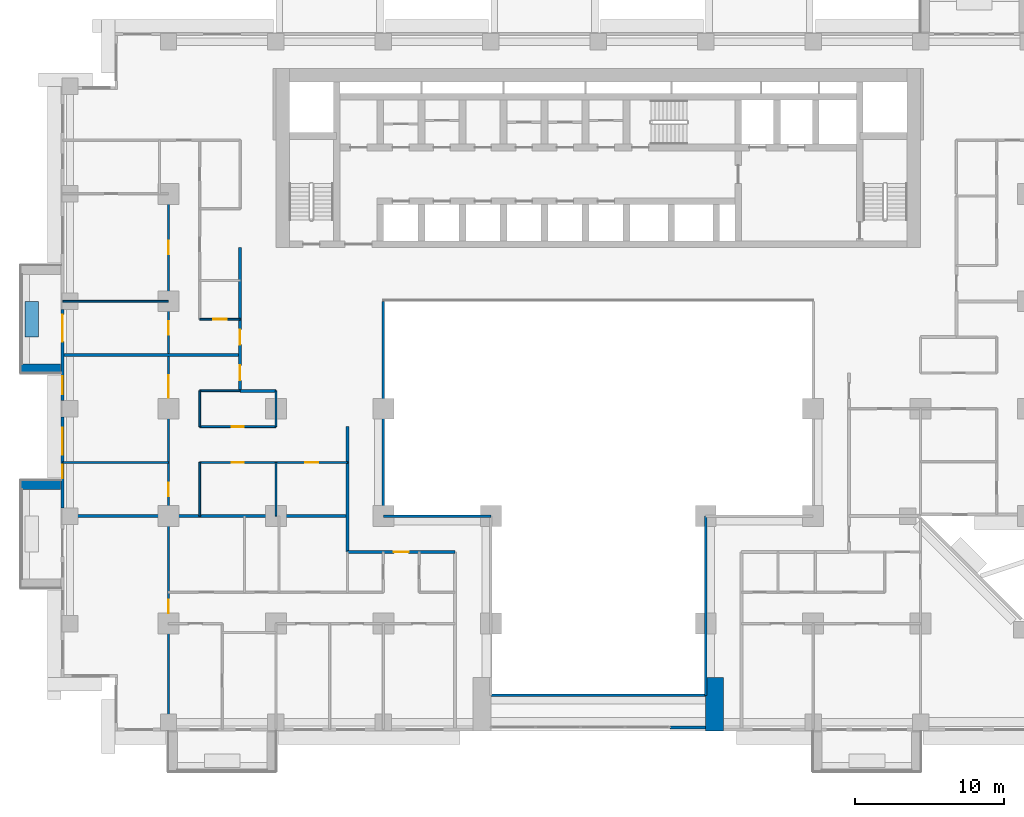
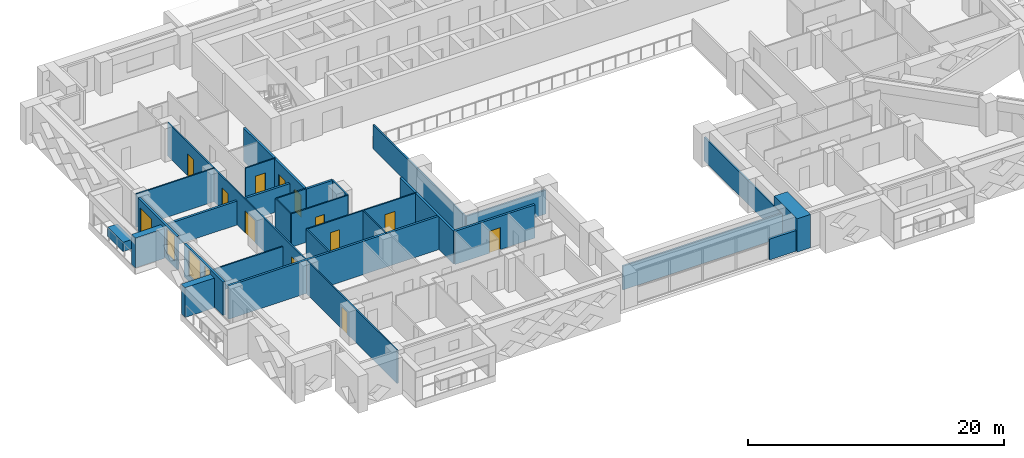
# One storey, part 7 of 16: 28 walls, 13 doors, 3 windows, 16 openings.
"""IFC4 building model written with IfcOpenShell, lengths in metres."""

from ifc_helpers import new_model, si_unit, direction, frame, frame_2d, origin, place, context, subcontext, project, spatial, rectangle, extrude, material, layer, layer_set, type_object, element, fill, save


model = new_model("IFC4")

# Units and contexts
model_context = context("Model", 3, precision=1e-05, world=origin(), true_north=direction((0.0, 1.0)))
body_context = subcontext(model_context, "Body", "Model", "MODEL_VIEW")
ifc_project = project(units=[si_unit("LENGTHUNIT", "METRE"), si_unit("AREAUNIT", "SQUARE_METRE"), si_unit("VOLUMEUNIT", "CUBIC_METRE"), si_unit("PLANEANGLEUNIT", "RADIAN"), si_unit("MASSUNIT", "GRAM", prefix="KILO")], contexts=[model_context])

# Site, building, storey
site_placement = place(None, origin())
site = spatial("IfcSite", under=ifc_project, at=site_placement, CompositionType="ELEMENT")
building_placement = place(site_placement, origin())
building = spatial("IfcBuilding", under=site, at=building_placement, Name="Saffron Iwan Residences", CompositionType="ELEMENT")
storey_placement = place(building_placement, frame((0.0, 0.0, 44.5)))
storey = spatial("IfcBuildingStorey", under=building, at=storey_placement, Name="L10", CompositionType="ELEMENT", Elevation=44.5)

# Walls
ifc_material_1 = material(Name="Fire-rated glazing", Category="glass")
ifc_layer_1 = layer(ifc_material_1, 0.14990234375)
ifc_layer_set_1 = layer_set([ifc_layer_1], Name="Fire-rated glazing")
wall_type_1 = type_object("IfcWallType", Name="Atrium glazed screen 150", PredefinedType="SOLIDWALL", material=ifc_layer_set_1)
wall_1_placement = place(storey_placement, frame((43.199951171875, 36.0, 0.0), z_axis=(0.0, 0.0, 1.0), x_axis=(1.0, 0.0, 0.0)))
element("IfcWall", 1, at=wall_1_placement, inside=storey, type_object=wall_type_1, Name="W-L10-SCREEN-h36-43.2", PredefinedType="SOLIDWALL", context=body_context, shape_type="SweptSolid", body=[
    extrude(rectangle(XDim=14.400146484375, YDim=0.14990234375, at=frame_2d((7.2001953125, 0.0))), origin(), (0.0, 0.0, 1.0), 2.280029296875),
])
wall_2_placement = place(storey_placement, frame((36.0, 48.0, 0.0), z_axis=(0.0, 0.0, 1.0), x_axis=(1.0, 0.0, 0.0)))
element("IfcWall", 2, at=wall_2_placement, inside=storey, type_object=wall_type_1, Name="W-L10-SCREEN-h48-36", PredefinedType="SOLIDWALL", context=body_context, shape_type="SweptSolid", body=[
    extrude(rectangle(XDim=7.199951171875, YDim=0.14990234375, at=frame_2d((3.60009765625, 0.0))), origin(), (0.0, 0.0, 1.0), 2.280029296875),
])
wall_3_placement = place(storey_placement, frame((36.0, 48.0, 0.0), z_axis=(0.0, 0.0, 1.0), x_axis=(0.0, 1.0, 0.0)))
element("IfcWall", 3, at=wall_3_placement, inside=storey, type_object=wall_type_1, Name="W-L10-SCREEN-v36-48", PredefinedType="SOLIDWALL", context=body_context, shape_type="SweptSolid", body=[
    extrude(rectangle(XDim=14.39990234375, YDim=0.14990234375, at=frame_2d((7.199951171875, 0.0))), origin(), (0.0, 0.0, 1.0), 2.280029296875),
])
wall_4_placement = place(storey_placement, frame((57.60009765625, 36.0, 0.0), z_axis=(0.0, 0.0, 1.0), x_axis=(0.0, 1.0, 0.0)))
element("IfcWall", 4, at=wall_4_placement, inside=storey, type_object=wall_type_1, Name="W-L10-SCREEN-v57.6-36", PredefinedType="SOLIDWALL", context=body_context, shape_type="SweptSolid", body=[
    extrude(rectangle(XDim=12.0, YDim=0.14990234375, at=frame_2d((6.0, 0.0))), origin(), (0.0, 0.0, 1.0), 2.280029296875),
])
ifc_material_2 = material(Name="Concrete C50/60 white painted", Category="concrete")
ifc_layer_2 = layer(ifc_material_2, 0.60009765625)
ifc_layer_set_2 = layer_set([ifc_layer_2], Name="Concrete C50/60 white painted")
wall_type_2 = type_object("IfcWallType", Name="BALCONY FIN 600", PredefinedType="SOLIDWALL", material=ifc_layer_set_2)
for number, where, z_axis, x_axis, name in (
    (5, (14.35009765625, 57.89990234375, 0.0), (0.0, 0.0, 1.0), (-1.0, 0.0, 0.0), "Balcony fin L10 F8-0b"),
    (6, (14.35009765625, 50.10009765625, 0.0), (0.0, 0.0, 1.0), (-1.0, 0.0, 0.0), "Balcony fin L10 F8-1a"),
):
    element("IfcWall", number, at=place(storey_placement, frame(where, z_axis=z_axis, x_axis=x_axis)), inside=storey, type_object=wall_type_2, Name=name, PredefinedType="SOLIDWALL", context=body_context, shape_type="SweptSolid", body=[
        extrude(rectangle(XDim=2.650146484375, YDim=0.60009765625, at=frame_2d((1.3251953125, 0.0))), origin(), (0.0, 0.0, 1.0), 2.85009765625),
    ])
ifc_material_3 = material(Name="Concrete C35/45 white painted", Category="concrete")
ifc_layer_3 = layer(ifc_material_3, 0.14990234375)
ifc_layer_set_3 = layer_set([ifc_layer_3], Name="Concrete C35/45 white painted")
wall_type_3 = type_object("IfcWallType", Name="BALCONY PLANTER", PredefinedType="SOLIDWALL", material=ifc_layer_set_3)
wall_5_placement = place(storey_placement, frame((12.425048828125, 62.39990234375, 0.0), z_axis=(0.0, 0.0, 1.0), x_axis=(0.0, -1.0, 0.0)))
element("IfcWall", 7, at=wall_5_placement, inside=storey, type_object=wall_type_3, Name="PLANTER L10 F8-0", PredefinedType="SOLIDWALL", context=body_context, shape_type="SweptSolid", body=[
    extrude(rectangle(XDim=2.39990234375, YDim=0.89990234375, at=frame_2d((1.199951171875, 0.0))), origin(), (0.0, 0.0, 1.0), 0.89990234375),
])

# Wall, openings, door, window
ifc_material_4 = material(Name="Concrete C40/50", Category="concrete")
ifc_layer_4 = layer(ifc_material_4, 0.199951171875)
ifc_layer_set_4 = layer_set([ifc_layer_4], Name="Concrete C40/50")
wall_type_4 = type_object("IfcWallType", Name="EXTERNAL WALL 200", PredefinedType="SOLIDWALL", material=ifc_layer_set_4)
wall_6_placement = place(storey_placement, frame((14.5, 61.85009765625, 0.0), z_axis=(0.0, 0.0, 1.0), x_axis=(0.0, -1.0, 0.0)))
wall_6 = element("IfcWall", 8, at=wall_6_placement, inside=storey, type_object=wall_type_4, Name="External wall L10 F8.2", PredefinedType="SOLIDWALL", context=body_context, shape_type="SweptSolid", body=[
    extrude(rectangle(XDim=6.10009765625, YDim=0.199951171875, at=frame_2d((3.050048828125, 0.0))), origin(), (0.0, 0.0, 1.0), 3.179931640625),
])
opening_1_placement = place(wall_6_placement, frame((0.35009765625, 0.0, 0.0)))
opening_1 = element("IfcOpeningElement", 9, at=opening_1_placement, cuts=wall_6, Name="Opening BD1", PredefinedType="OPENING", context=body_context, shape_type="SweptSolid", body=[
    extrude(rectangle(XDim=1.800048828125, YDim=2.39990234375, at=frame_2d((0.89990234375, 1.199951171875))), frame((0.0, 0.10986328125, 0.0), z_axis=(0.0, -1.0, 0.0), x_axis=(1.0, 0.0, 0.0)), (0.0, 0.0, 1.0), 0.219970703125),
])
opening_2_placement = place(wall_6_placement, frame((4.47509765625, 0.0, 0.60009765625)))
opening_2 = element("IfcOpeningElement", 10, at=opening_2_placement, cuts=wall_6, Name="Opening W3", PredefinedType="OPENING", context=body_context, shape_type="SweptSolid", body=[
    extrude(rectangle(XDim=1.199951171875, YDim=2.39990234375, at=frame_2d((0.60009765625, 1.199951171875))), frame((0.0, 0.10986328125, 0.0), z_axis=(0.0, -1.0, 0.0), x_axis=(1.0, 0.0, 0.0)), (0.0, 0.0, 1.0), 0.219970703125),
])
ifc_material_5 = material(Name="Clear glass, laminated double glazed", Category="glass")
door_type_1 = type_object("IfcDoorType", Name="BALCONY DOOR 1800 x 2400", OperationType="DOUBLE_DOOR_SLIDING", PredefinedType="DOOR", material=ifc_material_5)
door_1_placement = place(opening_1_placement, origin())
door_1 = element("IfcDoor", 11, at=door_1_placement, inside=storey, type_object=door_type_1, Name="Balcony door L10 F8.0", OperationType="DOUBLE_DOOR_SLIDING", OverallHeight=2.39990234375, OverallWidth=1.800048828125, PredefinedType="DOOR", context=body_context, shape_type="SweptSolid", body=[
    extrude(rectangle(XDim=1.800048828125, YDim=2.39990234375, at=frame_2d((0.89990234375, 1.199951171875))), frame((0.0, 0.02490234375, 0.0), z_axis=(0.0, -1.0, 0.0), x_axis=(1.0, 0.0, 0.0)), (0.0, 0.0, 1.0), 0.050048828125),
])
fill(opening_1, door_1)
window_type_1 = type_object("IfcWindowType", Name="WINDOW 1200 x 2400", PartitioningType="SINGLE_PANEL", PredefinedType="WINDOW", material=ifc_material_5)
window_1_placement = place(opening_2_placement, origin())
window_1 = element("IfcWindow", 12, at=window_1_placement, inside=storey, type_object=window_type_1, Name="Window L10 F8.1", OverallHeight=2.39990234375, OverallWidth=1.199951171875, PartitioningType="SINGLE_PANEL", PredefinedType="WINDOW", context=body_context, shape_type="SweptSolid", body=[
    extrude(rectangle(XDim=1.199951171875, YDim=2.39990234375, at=frame_2d((0.60009765625, 1.199951171875))), frame((0.0, 0.030029296875, 0.0), z_axis=(0.0, -1.0, 0.0), x_axis=(1.0, 0.0, 0.0)), (0.0, 0.0, 1.0), 0.06005859375),
])
fill(opening_2, window_1)

# Wall, openings, windows
wall_7_placement = place(storey_placement, frame((14.5, 54.64990234375, 0.0), z_axis=(0.0, 0.0, 1.0), x_axis=(0.0, -1.0, 0.0)))
wall_7 = element("IfcWall", 13, at=wall_7_placement, inside=storey, type_object=wall_type_4, Name="External wall L10 F8.3", PredefinedType="SOLIDWALL", context=body_context, shape_type="SweptSolid", body=[
    extrude(rectangle(XDim=6.099853515625, YDim=0.199951171875, at=frame_2d((3.0498046875, 0.0))), origin(), (0.0, 0.0, 1.0), 3.179931640625),
])
opening_3_placement = place(wall_7_placement, frame((3.199951171875, 0.0, 0.60009765625)))
opening_3 = element("IfcOpeningElement", 14, at=opening_3_placement, cuts=wall_7, Name="Opening W10", PredefinedType="OPENING", context=body_context, shape_type="SweptSolid", body=[
    extrude(rectangle(XDim=0.89990234375, YDim=2.39990234375, at=frame_2d((0.449951171875, 1.199951171875))), frame((0.0, 0.10986328125, 0.0), z_axis=(0.0, -1.0, 0.0), x_axis=(1.0, 0.0, 0.0)), (0.0, 0.0, 1.0), 0.219970703125),
])
opening_4_placement = place(wall_7_placement, frame((0.72509765625, 0.0, 0.60009765625)))
opening_4 = element("IfcOpeningElement", 15, at=opening_4_placement, cuts=wall_7, Name="Opening W8", PredefinedType="OPENING", context=body_context, shape_type="SweptSolid", body=[
    extrude(rectangle(XDim=1.800048828125, YDim=2.39990234375, at=frame_2d((0.89990234375, 1.199951171875))), frame((0.0, 0.10986328125, 0.0), z_axis=(0.0, -1.0, 0.0), x_axis=(1.0, 0.0, 0.0)), (0.0, 0.0, 1.0), 0.219970703125),
])
window_type_2 = type_object("IfcWindowType", Name="WINDOW 1800 x 2400", PartitioningType="DOUBLE_PANEL_VERTICAL", PredefinedType="WINDOW", material=ifc_material_5)
window_2_placement = place(opening_4_placement, origin())
window_2 = element("IfcWindow", 16, at=window_2_placement, inside=storey, type_object=window_type_2, Name="Window L10 F8.1", OverallHeight=2.39990234375, OverallWidth=1.800048828125, PartitioningType="DOUBLE_PANEL_VERTICAL", PredefinedType="WINDOW", context=body_context, shape_type="SweptSolid", body=[
    extrude(rectangle(XDim=1.800048828125, YDim=2.39990234375, at=frame_2d((0.89990234375, 1.199951171875))), frame((0.0, 0.030029296875, 0.0), z_axis=(0.0, -1.0, 0.0), x_axis=(1.0, 0.0, 0.0)), (0.0, 0.0, 1.0), 0.06005859375),
])
fill(opening_4, window_2)
window_type_3 = type_object("IfcWindowType", Name="WINDOW 900 x 2400", PartitioningType="SINGLE_PANEL", PredefinedType="WINDOW", material=ifc_material_5)
window_3_placement = place(opening_3_placement, origin())
window_3 = element("IfcWindow", 17, at=window_3_placement, inside=storey, type_object=window_type_3, Name="Window L10 F8.0", OverallHeight=2.39990234375, OverallWidth=0.89990234375, PartitioningType="SINGLE_PANEL", PredefinedType="WINDOW", context=body_context, shape_type="SweptSolid", body=[
    extrude(rectangle(XDim=0.89990234375, YDim=2.39990234375, at=frame_2d((0.449951171875, 1.199951171875))), frame((0.0, 0.030029296875, 0.0), z_axis=(0.0, -1.0, 0.0), x_axis=(1.0, 0.0, 0.0)), (0.0, 0.0, 1.0), 0.06005859375),
])
fill(opening_3, window_3)

# Walls
wall_8_placement = place(storey_placement, frame((55.199951171875, 33.85009765625, 0.0), z_axis=(0.0, 0.0, 1.0), x_axis=(1.0, 0.0, 0.0)))
element("IfcWall", 18, at=wall_8_placement, inside=storey, type_object=wall_type_4, Name="External wall infill CWB-L10-0", PredefinedType="SOLIDWALL", context=body_context, shape_type="SweptSolid", body=[
    extrude(rectangle(XDim=2.400146484375, YDim=0.199951171875, at=frame_2d((1.2001953125, 0.0))), origin(), (0.0, 0.0, 1.0), 1.97998046875),
])
ifc_material_6 = material(Name="Fire-rated gypsum board wall")
ifc_layer_5 = layer(ifc_material_6, 0.199951171875)
ifc_layer_set_5 = layer_set([ifc_layer_5], Name="Fire-rated gypsum board wall")
wall_type_5 = type_object("IfcWallType", Name="Flat demising wall 200", PredefinedType="SOLIDWALL", material=ifc_layer_set_5)
wall_9_placement = place(storey_placement, frame((14.52490234375, 48.0, 0.0), z_axis=(0.0, 0.0, 1.0), x_axis=(1.0, 0.0, 0.0)))
element("IfcWall", 19, at=wall_9_placement, inside=storey, type_object=wall_type_5, Name="W-L10-DEMISE-h48-14.525", PredefinedType="SOLIDWALL", context=body_context, shape_type="SweptSolid", body=[
    extrude(rectangle(XDim=19.0751953125, YDim=0.199951171875, at=frame_2d((9.53759765625, 0.0))), origin(), (0.0, 0.0, 1.0), 3.179931640625),
])
wall_10_placement = place(storey_placement, frame((14.52490234375, 58.800048828125, 0.0), z_axis=(0.0, 0.0, 1.0), x_axis=(1.0, 0.0, 0.0)))
element("IfcWall", 20, at=wall_10_placement, inside=storey, type_object=wall_type_5, Name="W-L10-DEMISE-h58.8-14.525", PredefinedType="SOLIDWALL", context=body_context, shape_type="SweptSolid", body=[
    extrude(rectangle(XDim=11.875, YDim=0.199951171875, at=frame_2d((5.9375, 0.0))), origin(), (0.0, 0.0, 1.0), 2.280029296875),
])
ifc_material_7 = material(Name="Gypsum board partition")
ifc_layer_6 = layer(ifc_material_7, 0.1201171875)
ifc_layer_set_6 = layer_set([ifc_layer_6], Name="Gypsum board partition")
wall_type_6 = type_object("IfcWallType", Name="Flat partition 120", PredefinedType="PARTITIONING", material=ifc_layer_set_6)
wall_11_placement = place(storey_placement, frame((14.52490234375, 51.60009765625, 0.0), z_axis=(0.0, 0.0, 1.0), x_axis=(1.0, 0.0, 0.0)))
element("IfcWall", 21, at=wall_11_placement, inside=storey, type_object=wall_type_6, Name="W-L10-PART-h51.6-14.525", PredefinedType="PARTITIONING", context=body_context, shape_type="SweptSolid", body=[
    extrude(rectangle(XDim=7.0751953125, YDim=0.1201171875, at=frame_2d((3.53759765625, 0.0))), origin(), (0.0, 0.0, 1.0), 2.280029296875),
])

# Wall, openings, doors
wall_12_placement = place(storey_placement, frame((23.699951171875, 51.60009765625, 0.0), z_axis=(0.0, 0.0, 1.0), x_axis=(1.0, 0.0, 0.0)))
wall_12 = element("IfcWall", 22, at=wall_12_placement, inside=storey, type_object=wall_type_6, Name="W-L10-PART-h51.6-23.7", PredefinedType="PARTITIONING", context=body_context, shape_type="SweptSolid", body=[
    extrude(rectangle(XDim=9.900146484375, YDim=0.1201171875, at=frame_2d((4.9501953125, 0.0))), origin(), (0.0, 0.0, 1.0), 3.179931640625),
])
opening_5_placement = place(wall_12_placement, frame((2.14990234375, 0.0, 0.0)))
opening_5 = element("IfcOpeningElement", 23, at=opening_5_placement, cuts=wall_12, Name="Opening FD3", PredefinedType="OPENING", context=body_context, shape_type="SweptSolid", body=[
    extrude(rectangle(XDim=0.800048828125, YDim=2.10009765625, at=frame_2d((0.39990234375, 1.050048828125))), frame((0.0, 0.070068359375, 0.0), z_axis=(0.0, -1.0, 0.0), x_axis=(1.0, 0.0, 0.0)), (0.0, 0.0, 1.0), 0.14013671875),
])
opening_6_placement = place(wall_12_placement, frame((7.050048828125, 0.0, 0.0)))
opening_6 = element("IfcOpeningElement", 24, at=opening_6_placement, cuts=wall_12, Name="Opening FD2", PredefinedType="OPENING", context=body_context, shape_type="SweptSolid", body=[
    extrude(rectangle(XDim=0.89990234375, YDim=2.10009765625, at=frame_2d((0.449951171875, 1.050048828125))), frame((0.0, 0.070068359375, 0.0), z_axis=(0.0, -1.0, 0.0), x_axis=(1.0, 0.0, 0.0)), (0.0, 0.0, 1.0), 0.14013671875),
])
ifc_material_8 = material(Name="Timber door", Category="wood")
door_type_2 = type_object("IfcDoorType", Name="Bathroom door 800", OperationType="NOTDEFINED", PredefinedType="DOOR", material=ifc_material_8)
door_2_placement = place(opening_5_placement, origin())
door_2 = element("IfcDoor", 25, at=door_2_placement, inside=storey, type_object=door_type_2, Name="Door L10-016", OperationType="SINGLE_SWING_LEFT", OverallHeight=2.10009765625, OverallWidth=0.800048828125, PredefinedType="DOOR", context=body_context, shape_type="SweptSolid", body=[
    extrude(rectangle(XDim=0.800048828125, YDim=2.10009765625, at=frame_2d((0.39990234375, 1.050048828125))), frame((0.0, 0.02490234375, 0.0), z_axis=(0.0, -1.0, 0.0), x_axis=(1.0, 0.0, 0.0)), (0.0, 0.0, 1.0), 0.050048828125),
])
fill(opening_5, door_2)
door_type_3 = type_object("IfcDoorType", Name="Flat door 900", OperationType="NOTDEFINED", PredefinedType="DOOR", material=ifc_material_8)
door_3_placement = place(opening_6_placement, origin())
door_3 = element("IfcDoor", 26, at=door_3_placement, inside=storey, type_object=door_type_3, Name="Door L10-018", OperationType="SINGLE_SWING_RIGHT", OverallHeight=2.10009765625, OverallWidth=0.89990234375, PredefinedType="DOOR", context=body_context, shape_type="SweptSolid", body=[
    extrude(rectangle(XDim=0.89990234375, YDim=2.10009765625, at=frame_2d((0.449951171875, 1.050048828125))), frame((0.0, 0.02490234375, 0.0), z_axis=(0.0, -1.0, 0.0), x_axis=(1.0, 0.0, 0.0)), (0.0, 0.0, 1.0), 0.050048828125),
])
fill(opening_6, door_3)

# Wall, opening, door
wall_13_placement = place(storey_placement, frame((23.699951171875, 54.0, 0.0), z_axis=(0.0, 0.0, 1.0), x_axis=(1.0, 0.0, 0.0)))
wall_13 = element("IfcWall", 27, at=wall_13_placement, inside=storey, type_object=wall_type_6, Name="W-L10-PART-h54-23.7", PredefinedType="PARTITIONING", context=body_context, shape_type="SweptSolid", body=[
    extrude(rectangle(XDim=5.10009765625, YDim=0.1201171875, at=frame_2d((2.550048828125, 0.0))), origin(), (0.0, 0.0, 1.0), 3.179931640625),
])
opening_7_placement = place(wall_13_placement, frame((2.14990234375, 0.0, 0.0)))
opening_7 = element("IfcOpeningElement", 28, at=opening_7_placement, cuts=wall_13, Name="Opening FD3", PredefinedType="OPENING", context=body_context, shape_type="SweptSolid", body=[
    extrude(rectangle(XDim=0.800048828125, YDim=2.10009765625, at=frame_2d((0.39990234375, 1.050048828125))), frame((0.0, 0.070068359375, 0.0), z_axis=(0.0, -1.0, 0.0), x_axis=(1.0, 0.0, 0.0)), (0.0, 0.0, 1.0), 0.14013671875),
])
door_4_placement = place(opening_7_placement, origin())
door_4 = element("IfcDoor", 29, at=door_4_placement, inside=storey, type_object=door_type_2, Name="Door L10-017", OperationType="SINGLE_SWING_LEFT", OverallHeight=2.10009765625, OverallWidth=0.800048828125, PredefinedType="DOOR", context=body_context, shape_type="SweptSolid", body=[
    extrude(rectangle(XDim=0.800048828125, YDim=2.10009765625, at=frame_2d((0.39990234375, 1.050048828125))), frame((0.0, 0.02490234375, 0.0), z_axis=(0.0, -1.0, 0.0), x_axis=(1.0, 0.0, 0.0)), (0.0, 0.0, 1.0), 0.050048828125),
])
fill(opening_7, door_4)

# Wall
wall_14_placement = place(storey_placement, frame((23.699951171875, 56.39990234375, 0.0), z_axis=(0.0, 0.0, 1.0), x_axis=(1.0, 0.0, 0.0)))
element("IfcWall", 30, at=wall_14_placement, inside=storey, type_object=wall_type_6, Name="W-L10-PART-h56.4-23.7", PredefinedType="PARTITIONING", context=body_context, shape_type="SweptSolid", body=[
    extrude(rectangle(XDim=2.699951171875, YDim=0.1201171875, at=frame_2d((1.35009765625, 0.0))), origin(), (0.0, 0.0, 1.0), 3.179931640625),
])

# Wall, opening, door
wall_15_placement = place(storey_placement, frame((23.699951171875, 61.199951171875, 0.0), z_axis=(0.0, 0.0, 1.0), x_axis=(1.0, 0.0, 0.0)))
wall_15 = element("IfcWall", 31, at=wall_15_placement, inside=storey, type_object=wall_type_6, Name="W-L10-PART-h61.2-23.7", PredefinedType="PARTITIONING", context=body_context, shape_type="SweptSolid", body=[
    extrude(rectangle(XDim=2.699951171875, YDim=0.1201171875, at=frame_2d((1.35009765625, 0.0))), origin(), (0.0, 0.0, 1.0), 3.179931640625),
])
opening_8_placement = place(wall_15_placement, frame((0.89990234375, 0.0, 0.0)))
opening_8 = element("IfcOpeningElement", 32, at=opening_8_placement, cuts=wall_15, Name="Opening FD2", PredefinedType="OPENING", context=body_context, shape_type="SweptSolid", body=[
    extrude(rectangle(XDim=0.89990234375, YDim=2.10009765625, at=frame_2d((0.449951171875, 1.050048828125))), frame((0.0, 0.070068359375, 0.0), z_axis=(0.0, -1.0, 0.0), x_axis=(1.0, 0.0, 0.0)), (0.0, 0.0, 1.0), 0.14013671875),
])
door_5_placement = place(opening_8_placement, origin())
door_5 = element("IfcDoor", 33, at=door_5_placement, inside=storey, type_object=door_type_3, Name="Door L10-032", OperationType="SINGLE_SWING_LEFT", OverallHeight=2.10009765625, OverallWidth=0.89990234375, PredefinedType="DOOR", context=body_context, shape_type="SweptSolid", body=[
    extrude(rectangle(XDim=0.89990234375, YDim=2.10009765625, at=frame_2d((0.449951171875, 1.050048828125))), frame((0.0, 0.02490234375, 0.0), z_axis=(0.0, -1.0, 0.0), x_axis=(1.0, 0.0, 0.0)), (0.0, 0.0, 1.0), 0.050048828125),
])
fill(opening_8, door_5)

# Wall
wall_16_placement = place(storey_placement, frame((14.52490234375, 62.39990234375, 0.0), z_axis=(0.0, 0.0, 1.0), x_axis=(1.0, 0.0, 0.0)))
element("IfcWall", 34, at=wall_16_placement, inside=storey, type_object=wall_type_6, Name="W-L10-PART-h62.4-14.525", PredefinedType="PARTITIONING", context=body_context, shape_type="SweptSolid", body=[
    extrude(rectangle(XDim=7.0751953125, YDim=0.1201171875, at=frame_2d((3.53759765625, 0.0))), origin(), (0.0, 0.0, 1.0), 3.179931640625),
])

# Wall, openings, doors
wall_17_placement = place(storey_placement, frame((21.60009765625, 33.72509765625, 0.0), z_axis=(0.0, 0.0, 1.0), x_axis=(0.0, 1.0, 0.0)))
wall_17 = element("IfcWall", 35, at=wall_17_placement, inside=storey, type_object=wall_type_6, Name="W-L10-PART-v21.6-33.725", PredefinedType="PARTITIONING", context=body_context, shape_type="SweptSolid", body=[
    extrude(rectangle(XDim=35.875, YDim=0.1201171875, at=frame_2d((17.9375, 0.0))), origin(), (0.0, 0.0, 1.0), 3.179931640625),
])
opening_9_placement = place(wall_17_placement, frame((7.77490234375, 0.0, 0.0)))
opening_9 = element("IfcOpeningElement", 36, at=opening_9_placement, cuts=wall_17, Name="Opening FD2", PredefinedType="OPENING", context=body_context, shape_type="SweptSolid", body=[
    extrude(rectangle(XDim=0.89990234375, YDim=2.10009765625, at=frame_2d((0.449951171875, 1.050048828125))), frame((0.0, 0.070068359375, 0.0), z_axis=(0.0, -1.0, 0.0), x_axis=(1.0, 0.0, 0.0)), (0.0, 0.0, 1.0), 0.14013671875),
])
opening_10_placement = place(wall_17_placement, frame((15.625, 0.0, 0.0)))
opening_10 = element("IfcOpeningElement", 37, at=opening_10_placement, cuts=wall_17, Name="Opening FD2", PredefinedType="OPENING", context=body_context, shape_type="SweptSolid", body=[
    extrude(rectangle(XDim=0.89990234375, YDim=2.10009765625, at=frame_2d((0.449951171875, 1.050048828125))), frame((0.0, 0.070068359375, 0.0), z_axis=(0.0, -1.0, 0.0), x_axis=(1.0, 0.0, 0.0)), (0.0, 0.0, 1.0), 0.14013671875),
])
opening_11_placement = place(wall_17_placement, frame((22.22509765625, 0.0, 0.0)))
opening_11 = element("IfcOpeningElement", 38, at=opening_11_placement, cuts=wall_17, Name="Opening FD4", PredefinedType="OPENING", context=body_context, shape_type="SweptSolid", body=[
    extrude(rectangle(XDim=1.5, YDim=2.10009765625, at=frame_2d((0.75, 1.050048828125))), frame((0.0, 0.070068359375, 0.0), z_axis=(0.0, -1.0, 0.0), x_axis=(1.0, 0.0, 0.0)), (0.0, 0.0, 1.0), 0.14013671875),
])
opening_12_placement = place(wall_17_placement, frame((26.425048828125, 0.0, 0.0)))
opening_12 = element("IfcOpeningElement", 39, at=opening_12_placement, cuts=wall_17, Name="Opening FD2", PredefinedType="OPENING", context=body_context, shape_type="SweptSolid", body=[
    extrude(rectangle(XDim=0.89990234375, YDim=2.10009765625, at=frame_2d((0.449951171875, 1.050048828125))), frame((0.0, 0.070068359375, 0.0), z_axis=(0.0, -1.0, 0.0), x_axis=(1.0, 0.0, 0.0)), (0.0, 0.0, 1.0), 0.14013671875),
])
opening_13_placement = place(wall_17_placement, frame((31.824951171875, 0.0, 0.0)))
opening_13 = element("IfcOpeningElement", 40, at=opening_13_placement, cuts=wall_17, Name="Opening FD2", PredefinedType="OPENING", context=body_context, shape_type="SweptSolid", body=[
    extrude(rectangle(XDim=0.89990234375, YDim=2.10009765625, at=frame_2d((0.449951171875, 1.050048828125))), frame((0.0, 0.070068359375, 0.0), z_axis=(0.0, -1.0, 0.0), x_axis=(1.0, 0.0, 0.0)), (0.0, 0.0, 1.0), 0.14013671875),
])
door_type_4 = type_object("IfcDoorType", Name="Double door 1500", OperationType="NOTDEFINED", PredefinedType="DOOR", material=ifc_material_8)
door_6_placement = place(opening_11_placement, origin())
door_6 = element("IfcDoor", 41, at=door_6_placement, inside=storey, type_object=door_type_4, Name="Door L10-015", OperationType="SINGLE_SWING_LEFT", OverallHeight=2.10009765625, OverallWidth=1.5, PredefinedType="DOOR", context=body_context, shape_type="SweptSolid", body=[
    extrude(rectangle(XDim=1.5, YDim=2.10009765625, at=frame_2d((0.75, 1.050048828125))), frame((0.0, 0.02490234375, 0.0), z_axis=(0.0, -1.0, 0.0), x_axis=(1.0, 0.0, 0.0)), (0.0, 0.0, 1.0), 0.050048828125),
])
fill(opening_11, door_6)
door_7_placement = place(opening_9_placement, origin())
door_7 = element("IfcDoor", 42, at=door_7_placement, inside=storey, type_object=door_type_3, Name="Door L10-002", OperationType="SINGLE_SWING_RIGHT", OverallHeight=2.10009765625, OverallWidth=0.89990234375, PredefinedType="DOOR", context=body_context, shape_type="SweptSolid", body=[
    extrude(rectangle(XDim=0.89990234375, YDim=2.10009765625, at=frame_2d((0.449951171875, 1.050048828125))), frame((0.0, 0.02490234375, 0.0), z_axis=(0.0, -1.0, 0.0), x_axis=(1.0, 0.0, 0.0)), (0.0, 0.0, 1.0), 0.050048828125),
])
fill(opening_9, door_7)
door_8_placement = place(opening_10_placement, origin())
door_8 = element("IfcDoor", 43, at=door_8_placement, inside=storey, type_object=door_type_3, Name="Door L10-014", OperationType="SINGLE_SWING_LEFT", OverallHeight=2.10009765625, OverallWidth=0.89990234375, PredefinedType="DOOR", context=body_context, shape_type="SweptSolid", body=[
    extrude(rectangle(XDim=0.89990234375, YDim=2.10009765625, at=frame_2d((0.449951171875, 1.050048828125))), frame((0.0, 0.02490234375, 0.0), z_axis=(0.0, -1.0, 0.0), x_axis=(1.0, 0.0, 0.0)), (0.0, 0.0, 1.0), 0.050048828125),
])
fill(opening_10, door_8)
door_9_placement = place(opening_12_placement, origin())
door_9 = element("IfcDoor", 44, at=door_9_placement, inside=storey, type_object=door_type_3, Name="Door L10-028", OperationType="SINGLE_SWING_LEFT", OverallHeight=2.10009765625, OverallWidth=0.89990234375, PredefinedType="DOOR", context=body_context, shape_type="SweptSolid", body=[
    extrude(rectangle(XDim=0.89990234375, YDim=2.10009765625, at=frame_2d((0.449951171875, 1.050048828125))), frame((0.0, 0.02490234375, 0.0), z_axis=(0.0, -1.0, 0.0), x_axis=(1.0, 0.0, 0.0)), (0.0, 0.0, 1.0), 0.050048828125),
])
fill(opening_12, door_9)
door_10_placement = place(opening_13_placement, origin())
door_10 = element("IfcDoor", 45, at=door_10_placement, inside=storey, type_object=door_type_3, Name="Door L10-029", OperationType="SINGLE_SWING_LEFT", OverallHeight=2.10009765625, OverallWidth=0.89990234375, PredefinedType="DOOR", context=body_context, shape_type="SweptSolid", body=[
    extrude(rectangle(XDim=0.89990234375, YDim=2.10009765625, at=frame_2d((0.449951171875, 1.050048828125))), frame((0.0, 0.02490234375, 0.0), z_axis=(0.0, -1.0, 0.0), x_axis=(1.0, 0.0, 0.0)), (0.0, 0.0, 1.0), 0.050048828125),
])
fill(opening_13, door_10)

# Walls
wall_18_placement = place(storey_placement, frame((23.699951171875, 48.0, 0.0), z_axis=(0.0, 0.0, 1.0), x_axis=(0.0, 1.0, 0.0)))
element("IfcWall", 46, at=wall_18_placement, inside=storey, type_object=wall_type_6, Name="W-L10-PART-v23.7-48", PredefinedType="PARTITIONING", context=body_context, shape_type="SweptSolid", body=[
    extrude(rectangle(XDim=3.60009765625, YDim=0.1201171875, at=frame_2d((1.800048828125, 0.0))), origin(), (0.0, 0.0, 1.0), 3.179931640625),
])
wall_19_placement = place(storey_placement, frame((23.699951171875, 54.0, 0.0), z_axis=(0.0, 0.0, 1.0), x_axis=(0.0, 1.0, 0.0)))
element("IfcWall", 47, at=wall_19_placement, inside=storey, type_object=wall_type_6, Name="W-L10-PART-v23.7-54", PredefinedType="PARTITIONING", context=body_context, shape_type="SweptSolid", body=[
    extrude(rectangle(XDim=2.39990234375, YDim=0.1201171875, at=frame_2d((1.199951171875, 0.0))), origin(), (0.0, 0.0, 1.0), 3.179931640625),
])
wall_20_placement = place(storey_placement, frame((28.800048828125, 48.0, 0.0), z_axis=(0.0, 0.0, 1.0), x_axis=(0.0, 1.0, 0.0)))
element("IfcWall", 48, at=wall_20_placement, inside=storey, type_object=wall_type_6, Name="W-L10-PART-v28.8-48", PredefinedType="PARTITIONING", context=body_context, shape_type="SweptSolid", body=[
    extrude(rectangle(XDim=3.60009765625, YDim=0.1201171875, at=frame_2d((1.800048828125, 0.0))), origin(), (0.0, 0.0, 1.0), 3.179931640625),
])
wall_21_placement = place(storey_placement, frame((28.800048828125, 54.0, 0.0), z_axis=(0.0, 0.0, 1.0), x_axis=(0.0, 1.0, 0.0)))
element("IfcWall", 49, at=wall_21_placement, inside=storey, type_object=wall_type_6, Name="W-L10-PART-v28.8-54", PredefinedType="PARTITIONING", context=body_context, shape_type="SweptSolid", body=[
    extrude(rectangle(XDim=2.39990234375, YDim=0.1201171875, at=frame_2d((1.199951171875, 0.0))), origin(), (0.0, 0.0, 1.0), 3.179931640625),
])

# Wall, opening, door
ifc_layer_7 = layer(ifc_material_6, 0.199951171875)
ifc_layer_set_7 = layer_set([ifc_layer_7], Name="Fire-rated gypsum board wall")
wall_type_7 = type_object("IfcWallType", Name="Gallery wall 200", PredefinedType="SOLIDWALL", material=ifc_layer_set_7)
wall_22_placement = place(storey_placement, frame((33.60009765625, 45.60009765625, 0.0), z_axis=(0.0, 0.0, 1.0), x_axis=(1.0, 0.0, 0.0)))
wall_22 = element("IfcWall", 50, at=wall_22_placement, inside=storey, type_object=wall_type_7, Name="W-L10-CORR-h45.6-33.6", PredefinedType="SOLIDWALL", context=body_context, shape_type="SweptSolid", body=[
    extrude(rectangle(XDim=7.199951171875, YDim=0.199951171875, at=frame_2d((3.60009765625, 0.0))), origin(), (0.0, 0.0, 1.0), 3.179931640625),
])
opening_14_placement = place(wall_22_placement, frame((3.10009765625, 0.0, 0.0)))
opening_14 = element("IfcOpeningElement", 51, at=opening_14_placement, cuts=wall_22, Name="Opening FD1", PredefinedType="OPENING", context=body_context, shape_type="SweptSolid", body=[
    extrude(rectangle(XDim=1.0, YDim=2.10009765625, at=frame_2d((0.5, 1.050048828125))), frame((0.0, 0.10986328125, 0.0), z_axis=(0.0, -1.0, 0.0), x_axis=(1.0, 0.0, 0.0)), (0.0, 0.0, 1.0), 0.219970703125),
])
ifc_material_9 = material(Name="Fire-rated timber door", Category="wood")
door_type_5 = type_object("IfcDoorType", Name="FD30S flat entrance door 1000", OperationType="NOTDEFINED", PredefinedType="DOOR", material=ifc_material_9)
door_11_placement = place(opening_14_placement, origin())
door_11 = element("IfcDoor", 52, at=door_11_placement, inside=storey, type_object=door_type_5, Name="Door L10-001", OperationType="SINGLE_SWING_LEFT", OverallHeight=2.10009765625, OverallWidth=1.0, PredefinedType="DOOR", context=body_context, shape_type="SweptSolid", body=[
    extrude(rectangle(XDim=1.0, YDim=2.10009765625, at=frame_2d((0.5, 1.050048828125))), frame((0.0, 0.02490234375, 0.0), z_axis=(0.0, -1.0, 0.0), x_axis=(1.0, 0.0, 0.0)), (0.0, 0.0, 1.0), 0.050048828125),
])
fill(opening_14, door_11)

# Wall
wall_23_placement = place(storey_placement, frame((26.39990234375, 56.39990234375, 0.0), z_axis=(0.0, 0.0, 1.0), x_axis=(1.0, 0.0, 0.0)))
element("IfcWall", 53, at=wall_23_placement, inside=storey, type_object=wall_type_7, Name="W-L10-CORR-h56.4-26.4", PredefinedType="SOLIDWALL", context=body_context, shape_type="SweptSolid", body=[
    extrude(rectangle(XDim=2.400146484375, YDim=0.199951171875, at=frame_2d((1.2001953125, 0.0))), origin(), (0.0, 0.0, 1.0), 3.179931640625),
])

# Wall, openings, doors
wall_24_placement = place(storey_placement, frame((26.39990234375, 56.39990234375, 0.0), z_axis=(0.0, 0.0, 1.0), x_axis=(0.0, 1.0, 0.0)))
wall_24 = element("IfcWall", 54, at=wall_24_placement, inside=storey, type_object=wall_type_7, Name="W-L10-CORR-v26.4-56.4", PredefinedType="SOLIDWALL", context=body_context, shape_type="SweptSolid", body=[
    extrude(rectangle(XDim=9.60009765625, YDim=0.199951171875, at=frame_2d((4.800048828125, 0.0))), origin(), (0.0, 0.0, 1.0), 3.179931640625),
])
opening_15_placement = place(wall_24_placement, frame((0.699951171875, 0.0, 0.0)))
opening_15 = element("IfcOpeningElement", 55, at=opening_15_placement, cuts=wall_24, Name="Opening FD1", PredefinedType="OPENING", context=body_context, shape_type="SweptSolid", body=[
    extrude(rectangle(XDim=1.0, YDim=2.10009765625, at=frame_2d((0.5, 1.050048828125))), frame((0.0, 0.10986328125, 0.0), z_axis=(0.0, -1.0, 0.0), x_axis=(1.0, 0.0, 0.0)), (0.0, 0.0, 1.0), 0.219970703125),
])
opening_16_placement = place(wall_24_placement, frame((3.10009765625, 0.0, 0.0)))
opening_16 = element("IfcOpeningElement", 56, at=opening_16_placement, cuts=wall_24, Name="Opening FD1", PredefinedType="OPENING", context=body_context, shape_type="SweptSolid", body=[
    extrude(rectangle(XDim=1.0, YDim=2.10009765625, at=frame_2d((0.5, 1.050048828125))), frame((0.0, 0.10986328125, 0.0), z_axis=(0.0, -1.0, 0.0), x_axis=(1.0, 0.0, 0.0)), (0.0, 0.0, 1.0), 0.219970703125),
])
door_12_placement = place(opening_15_placement, origin())
door_12 = element("IfcDoor", 57, at=door_12_placement, inside=storey, type_object=door_type_5, Name="Door L10-013", OperationType="SINGLE_SWING_LEFT", OverallHeight=2.10009765625, OverallWidth=1.0, PredefinedType="DOOR", context=body_context, shape_type="SweptSolid", body=[
    extrude(rectangle(XDim=1.0, YDim=2.10009765625, at=frame_2d((0.5, 1.050048828125))), frame((0.0, 0.02490234375, 0.0), z_axis=(0.0, -1.0, 0.0), x_axis=(1.0, 0.0, 0.0)), (0.0, 0.0, 1.0), 0.050048828125),
])
fill(opening_15, door_12)
door_13_placement = place(opening_16_placement, origin())
door_13 = element("IfcDoor", 58, at=door_13_placement, inside=storey, type_object=door_type_5, Name="Door L10-027", OperationType="SINGLE_SWING_RIGHT", OverallHeight=2.10009765625, OverallWidth=1.0, PredefinedType="DOOR", context=body_context, shape_type="SweptSolid", body=[
    extrude(rectangle(XDim=1.0, YDim=2.10009765625, at=frame_2d((0.5, 1.050048828125))), frame((0.0, 0.02490234375, 0.0), z_axis=(0.0, -1.0, 0.0), x_axis=(1.0, 0.0, 0.0)), (0.0, 0.0, 1.0), 0.050048828125),
])
fill(opening_16, door_13)

# Walls
wall_25_placement = place(storey_placement, frame((33.60009765625, 45.60009765625, 0.0), z_axis=(0.0, 0.0, 1.0), x_axis=(0.0, 1.0, 0.0)))
element("IfcWall", 59, at=wall_25_placement, inside=storey, type_object=wall_type_7, Name="W-L10-CORR-v33.6-45.6", PredefinedType="SOLIDWALL", context=body_context, shape_type="SweptSolid", body=[
    extrude(rectangle(XDim=8.39990234375, YDim=0.199951171875, at=frame_2d((4.199951171875, 0.0))), origin(), (0.0, 0.0, 1.0), 3.179931640625),
])
ifc_material_10 = material(Name="Concrete C60/75", Category="concrete")
ifc_layer_8 = layer(ifc_material_10, 1.199951171875)
ifc_layer_set_8 = layer_set([ifc_layer_8], Name="Concrete C60/75")
wall_type_8 = type_object("IfcWallType", Name="WALL IWAN PIER 1200 C60/75 3180 HIGH", PredefinedType="SHEAR", material=ifc_layer_set_8)
wall_26_placement = place(storey_placement, frame((58.199951171875, 33.60009765625, 0.0), z_axis=(0.0, 0.0, 1.0), x_axis=(0.0, 1.0, 0.0)))
element("IfcWall", 60, at=wall_26_placement, inside=storey, type_object=wall_type_8, Name="IWAN PIER", PredefinedType="SHEAR", context=body_context, shape_type="SweptSolid", body=[
    extrude(rectangle(XDim=3.599853515625, YDim=1.199951171875, at=frame_2d((1.7998046875, 0.0))), origin(), (0.0, 0.0, 1.0), 3.179931640625),
])

save(model, "model.ifc")
